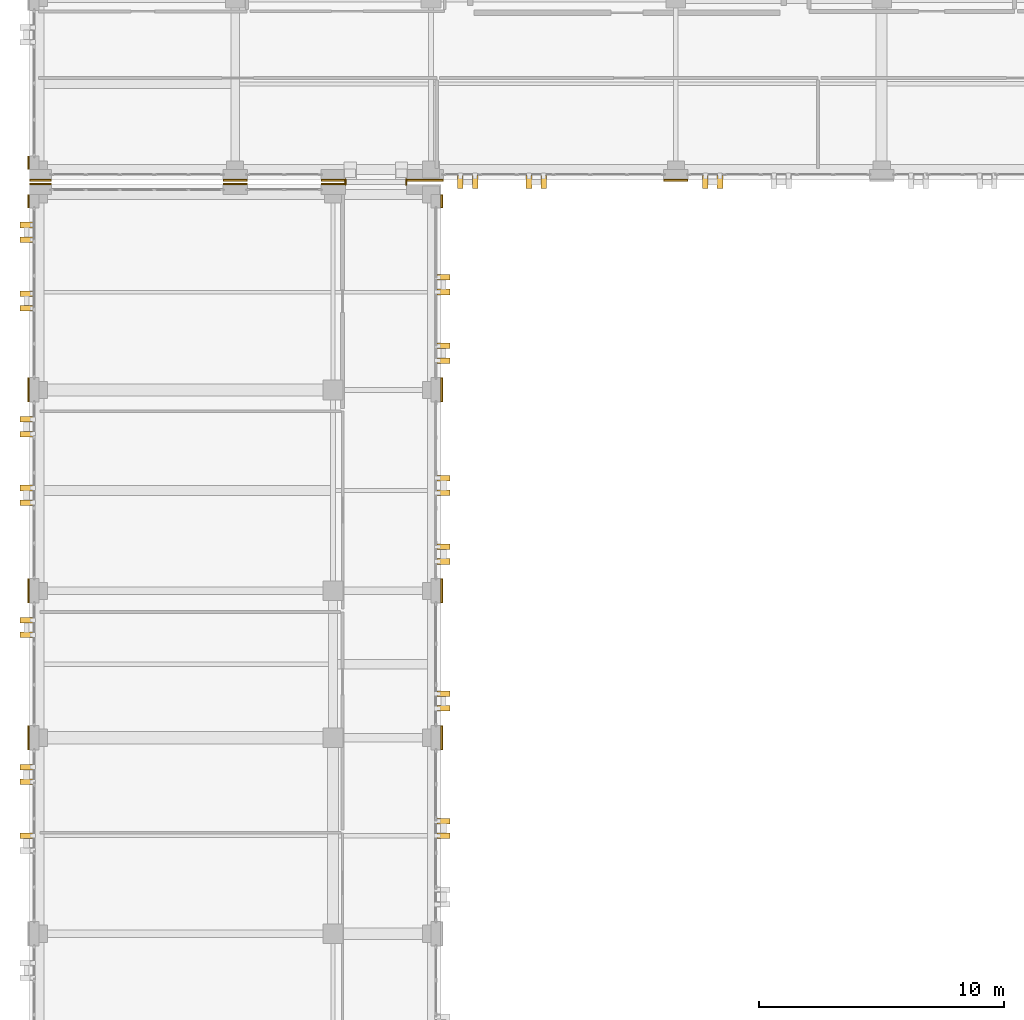
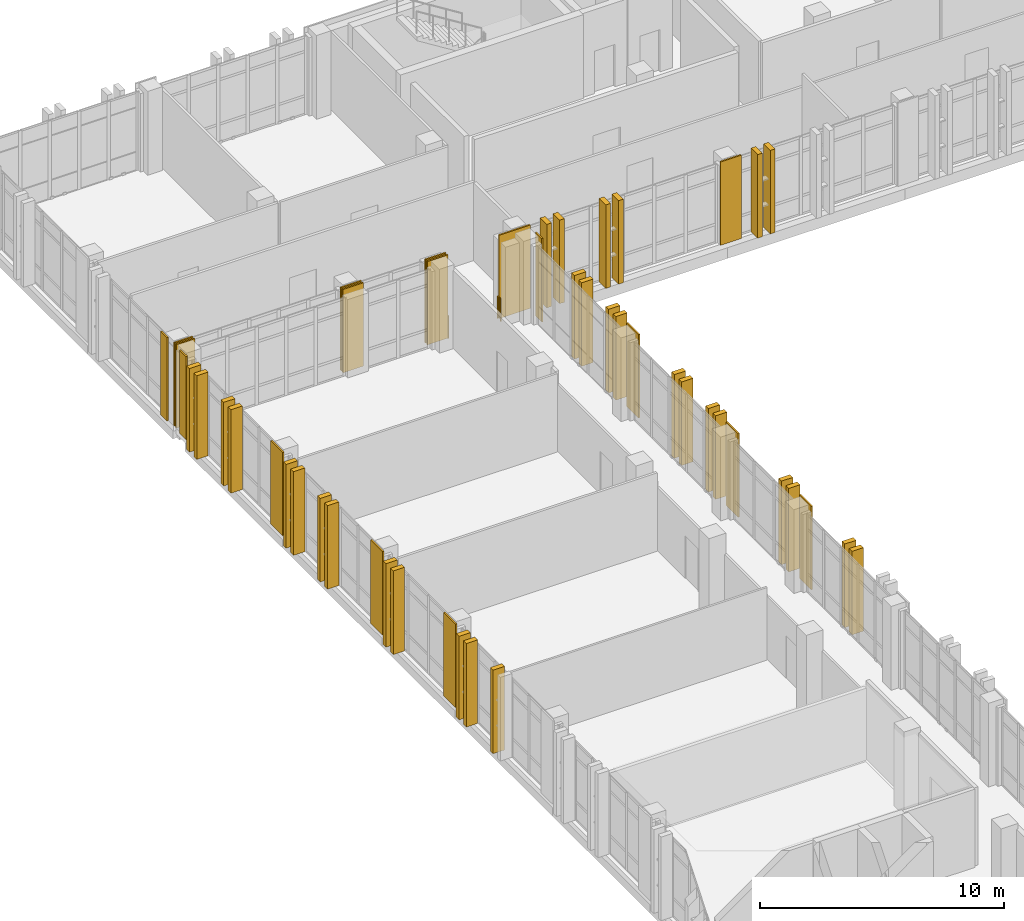
# One storey, part 149 of 158: 48 coverings, 2 railings.
"""IFC4 building model written with IfcOpenShell, lengths in metres."""

from ifc_helpers import new_model, si_unit, direction, frame, origin, origin_2d, place, context, subcontext, project, spatial, rectangle, circle, extrude, material, layer, layer_set, type_object, element, save


model = new_model("IFC4")

# Units and contexts
model_context = context("Model", 3, precision=1e-05, world=origin(), true_north=direction((0.0, 1.0)))
body_context = subcontext(model_context, "Body", "Model", "MODEL_VIEW")
ifc_project = project(units=[si_unit("LENGTHUNIT", "METRE"), si_unit("AREAUNIT", "SQUARE_METRE"), si_unit("VOLUMEUNIT", "CUBIC_METRE"), si_unit("PLANEANGLEUNIT", "RADIAN"), si_unit("MASSUNIT", "GRAM", prefix="KILO")], contexts=[model_context])

# Site, building, storey
site_placement = place(None, origin())
site = spatial("IfcSite", under=ifc_project, at=site_placement, CompositionType="ELEMENT")
building_placement = place(site_placement, origin())
building = spatial("IfcBuilding", under=site, at=building_placement, Name="Qalavern Law Courts", CompositionType="ELEMENT")
storey_placement = place(building_placement, frame((0.0, 0.0, 18.60009765625)))
storey = spatial("IfcBuildingStorey", under=building, at=storey_placement, Name="L04", CompositionType="ELEMENT", Elevation=18.60009765625)

# Railings
ifc_material_1 = material(Name="Steel S355", Category="steel")
railing_type = type_object("IfcRailingType", Name="ENV-BAL-1120", PredefinedType="BALUSTRADE", material=ifc_material_1)
for number, where, name in (
    (1, (14.909912109375, 95.97998046875, 0.0), "Bridge BR-V3-V5 joint guard L04-1"),
    (2, (17.389892578125, 95.97998046875, 0.0), "Bridge BR-V3-V5 joint guard L04-2"),
):
    element("IfcRailing", number, at=place(storey_placement, frame(where)), inside=storey, type_object=railing_type, Name=name, PredefinedType="BALUSTRADE", context=body_context, shape_type="SweptSolid", body=[
        extrude(circle(Radius=0.02392578125, at=origin_2d()), frame((0.0, 0.0, 1.09619140625), z_axis=(0.0, 1.0, 0.0), x_axis=(-1.0, 0.0, 0.0)), (0.0, 0.0, 1.0), 0.219970703125),
        extrude(circle(Radius=0.02099609375, at=origin_2d()), origin(), (0.0, 0.0, 1.0), 1.072021484375),
        extrude(circle(Radius=0.02099609375, at=origin_2d()), frame((0.0, 0.219970703125, 0.0)), (0.0, 0.0, 1.0), 1.072021484375),
    ])

# Coverings
ifc_material_2 = material(Name="Precast concrete C40/50", Category="concrete")
ifc_layer_1 = layer(ifc_material_2, 0.22998046875)
ifc_layer_set_1 = layer_set([ifc_layer_1], Name="Precast concrete C40/50")
covering_type_1 = type_object("IfcCoveringType", Name="ENV-BLD-2", PredefinedType="CLADDING", material=ifc_layer_set_1)
for number, where, z_axis, x_axis, name in (
    (3, (18.909912109375, 69.39990234375, 0.0048828125), (0.0, 0.0, 1.0), (1.0, 0.0, 0.0), "Absheron stone facade blade 0369"),
    (4, (18.909912109375, 70.0, 0.0048828125), (0.0, 0.0, 1.0), (1.0, 0.0, 0.0), "Absheron stone facade blade 0370"),
    (5, (18.909912109375, 74.60009765625, 0.0048828125), (0.0, 0.0, 1.0), (1.0, 0.0, 0.0), "Absheron stone facade blade 0371"),
    (6, (18.909912109375, 75.199951171875, 0.0048828125), (0.0, 0.0, 1.0), (1.0, 0.0, 0.0), "Absheron stone facade blade 0372"),
    (7, (18.909912109375, 80.60009765625, 0.0048828125), (0.0, 0.0, 1.0), (1.0, 0.0, 0.0), "Absheron stone facade blade 0373"),
    (8, (18.909912109375, 81.199951171875, 0.0048828125), (0.0, 0.0, 1.0), (1.0, 0.0, 0.0), "Absheron stone facade blade 0374"),
    (9, (18.909912109375, 83.39990234375, 0.0048828125), (0.0, 0.0, 1.0), (1.0, 0.0, 0.0), "Absheron stone facade blade 0375"),
    (10, (18.909912109375, 84.0, 0.0048828125), (0.0, 0.0, 1.0), (1.0, 0.0, 0.0), "Absheron stone facade blade 0376"),
    (11, (18.909912109375, 88.800048828125, 0.0048828125), (0.0, 0.0, 1.0), (1.0, 0.0, 0.0), "Absheron stone facade blade 0377"),
    (12, (18.909912109375, 89.39990234375, 0.0048828125), (0.0, 0.0, 1.0), (1.0, 0.0, 0.0), "Absheron stone facade blade 0378"),
    (13, (18.909912109375, 91.60009765625, 0.0048828125), (0.0, 0.0, 1.0), (1.0, 0.0, 0.0), "Absheron stone facade blade 0379"),
    (14, (18.909912109375, 92.199951171875, 0.0048828125), (0.0, 0.0, 1.0), (1.0, 0.0, 0.0), "Absheron stone facade blade 0380"),
    (15, (1.889892578125, 94.3349609375, 0.0048828125), (0.0, 0.0, 1.0), (-1.0, 0.0, 0.0), "Absheron stone facade blade 0381"),
    (16, (1.889892578125, 93.735107421875, 0.0048828125), (0.0, 0.0, 1.0), (-1.0, 0.0, 0.0), "Absheron stone facade blade 0382"),
    (17, (1.889892578125, 91.534912109375, 0.0048828125), (0.0, 0.0, 1.0), (-1.0, 0.0, 0.0), "Absheron stone facade blade 0383"),
    (18, (1.889892578125, 90.93505859375, 0.0048828125), (0.0, 0.0, 1.0), (-1.0, 0.0, 0.0), "Absheron stone facade blade 0384"),
    (19, (1.889892578125, 86.39990234375, 0.0048828125), (0.0, 0.0, 1.0), (-1.0, 0.0, 0.0), "Absheron stone facade blade 0385"),
    (20, (1.889892578125, 85.800048828125, 0.0048828125), (0.0, 0.0, 1.0), (-1.0, 0.0, 0.0), "Absheron stone facade blade 0386"),
    (21, (1.889892578125, 83.60009765625, 0.0048828125), (0.0, 0.0, 1.0), (-1.0, 0.0, 0.0), "Absheron stone facade blade 0387"),
    (22, (1.889892578125, 83.0, 0.0048828125), (0.0, 0.0, 1.0), (-1.0, 0.0, 0.0), "Absheron stone facade blade 0388"),
    (23, (1.889892578125, 78.199951171875, 0.0048828125), (0.0, 0.0, 1.0), (-1.0, 0.0, 0.0), "Absheron stone facade blade 0389"),
    (24, (1.889892578125, 77.60009765625, 0.0048828125), (0.0, 0.0, 1.0), (-1.0, 0.0, 0.0), "Absheron stone facade blade 0390"),
    (25, (1.889892578125, 72.199951171875, 0.0048828125), (0.0, 0.0, 1.0), (-1.0, 0.0, 0.0), "Absheron stone facade blade 0391"),
    (26, (1.889892578125, 71.60009765625, 0.0048828125), (0.0, 0.0, 1.0), (-1.0, 0.0, 0.0), "Absheron stone facade blade 0392"),
    (27, (1.889892578125, 69.39990234375, 0.0048828125), (0.0, 0.0, 1.0), (-1.0, 0.0, 0.0), "Absheron stone facade blade 0393"),
    (28, (19.60009765625, 96.090087890625, 0.0048828125), (0.0, 0.0, 1.0), (0.0, -1.0, 0.0), "Absheron stone facade blade 1065"),
    (29, (20.199951171875, 96.090087890625, 0.0048828125), (0.0, 0.0, 1.0), (0.0, -1.0, 0.0), "Absheron stone facade blade 1066"),
    (30, (22.39990234375, 96.090087890625, 0.0048828125), (0.0, 0.0, 1.0), (0.0, -1.0, 0.0), "Absheron stone facade blade 1067"),
    (31, (23.0, 96.090087890625, 0.0048828125), (0.0, 0.0, 1.0), (0.0, -1.0, 0.0), "Absheron stone facade blade 1068"),
    (32, (29.60009765625, 96.090087890625, 0.0048828125), (0.0, 0.0, 1.0), (0.0, -1.0, 0.0), "Absheron stone facade blade 1069"),
    (33, (30.199951171875, 96.090087890625, 0.0048828125), (0.0, 0.0, 1.0), (0.0, -1.0, 0.0), "Absheron stone facade blade 1070"),
):
    element("IfcCovering", number, at=place(storey_placement, frame(where, z_axis=z_axis, x_axis=x_axis)), inside=storey, type_object=covering_type_1, Name=name, PredefinedType="CLADDING", context=body_context, shape_type="SweptSolid", body=[
        extrude(rectangle(XDim=0.5400390625, YDim=0.22998046875, at=origin_2d()), origin(), (0.0, 0.0, 1.0), 4.18994140625),
    ])
ifc_layer_2 = layer(ifc_material_2, 0.072021484375)
ifc_layer_set_2 = layer_set([ifc_layer_2], Name="Precast concrete C40/50")
covering_type_2 = type_object("IfcCoveringType", Name="ENV-CLD-2", PredefinedType="CLADDING", material=ifc_layer_set_2)
for number, where, z_axis, x_axis, name in (
    (34, (18.8330078125, 73.39990234375, 0.009765625), (0.0, 0.0, 1.0), (0.0, 1.0, 0.0), "V3 Absheron limestone pier facing L04 east 5"),
    (35, (18.8330078125, 79.39990234375, 0.009765625), (0.0, 0.0, 1.0), (0.0, 1.0, 0.0), "V3 Absheron limestone pier facing L04 east 6"),
    (36, (18.8330078125, 87.60009765625, 0.009765625), (0.0, 0.0, 1.0), (0.0, 1.0, 0.0), "V3 Absheron limestone pier facing L04 east 7"),
):
    element("IfcCovering", number, at=place(storey_placement, frame(where, z_axis=z_axis, x_axis=x_axis)), inside=storey, type_object=covering_type_2, Name=name, PredefinedType="CLADDING", context=body_context, shape_type="SweptSolid", body=[
        extrude(rectangle(XDim=0.97998046875, YDim=0.072021484375, at=origin_2d()), origin(), (0.0, 0.0, 1.0), 4.179931640625),
    ])
covering_1_placement = place(storey_placement, frame((18.8330078125, 95.31005859375, 0.009765625), z_axis=(0.0, 0.0, 1.0), x_axis=(0.0, 1.0, 0.0)))
element("IfcCovering", 37, at=covering_1_placement, inside=storey, type_object=covering_type_2, Name="V3 Absheron limestone pier facing L04 east 8", PredefinedType="CLADDING", context=body_context, shape_type="SweptSolid", body=[
    extrude(rectangle(XDim=0.530029296875, YDim=0.072021484375, at=origin_2d()), origin(), (0.0, 0.0, 1.0), 4.179931640625),
])
for number, where, z_axis, x_axis, name in (
    (38, (14.39990234375, 96.012939453125, 0.009765625), (0.0, 0.0, 1.0), (-1.0, 0.0, 0.0), "V3 Absheron limestone pier facing L04 north 1"),
    (39, (10.39990234375, 96.012939453125, 0.009765625), (0.0, 0.0, 1.0), (-1.0, 0.0, 0.0), "V3 Absheron limestone pier facing L04 north 2"),
):
    element("IfcCovering", number, at=place(storey_placement, frame(where, z_axis=z_axis, x_axis=x_axis)), inside=storey, type_object=covering_type_2, Name=name, PredefinedType="CLADDING", context=body_context, shape_type="SweptSolid", body=[
        extrude(rectangle(XDim=0.97998046875, YDim=0.072021484375, at=origin_2d()), origin(), (0.0, 0.0, 1.0), 4.179931640625),
    ])
covering_2_placement = place(storey_placement, frame((2.449951171875, 96.012939453125, 0.009765625), z_axis=(0.0, 0.0, 1.0), x_axis=(-1.0, 0.0, 0.0)))
element("IfcCovering", 40, at=covering_2_placement, inside=storey, type_object=covering_type_2, Name="V3 Absheron limestone pier facing L04 north 3", PredefinedType="CLADDING", context=body_context, shape_type="SweptSolid", body=[
    extrude(rectangle(XDim=0.8798828125, YDim=0.072021484375, at=origin_2d()), origin(), (0.0, 0.0, 1.0), 4.179931640625),
])
covering_3_placement = place(storey_placement, frame((1.967041015625, 95.31005859375, 0.009765625), z_axis=(0.0, 0.0, 1.0), x_axis=(0.0, -1.0, 0.0)))
element("IfcCovering", 41, at=covering_3_placement, inside=storey, type_object=covering_type_2, Name="V3 Absheron limestone pier facing L04 west 1", PredefinedType="CLADDING", context=body_context, shape_type="SweptSolid", body=[
    extrude(rectangle(XDim=0.530029296875, YDim=0.072021484375, at=origin_2d()), origin(), (0.0, 0.0, 1.0), 4.179931640625),
])
for number, where, z_axis, x_axis, name in (
    (42, (1.967041015625, 87.60009765625, 0.009765625), (0.0, 0.0, 1.0), (0.0, -1.0, 0.0), "V3 Absheron limestone pier facing L04 west 2"),
    (43, (1.967041015625, 79.39990234375, 0.009765625), (0.0, 0.0, 1.0), (0.0, -1.0, 0.0), "V3 Absheron limestone pier facing L04 west 3"),
    (44, (1.967041015625, 73.39990234375, 0.009765625), (0.0, 0.0, 1.0), (0.0, -1.0, 0.0), "V3 Absheron limestone pier facing L04 west 4"),
):
    element("IfcCovering", number, at=place(storey_placement, frame(where, z_axis=z_axis, x_axis=x_axis)), inside=storey, type_object=covering_type_2, Name=name, PredefinedType="CLADDING", context=body_context, shape_type="SweptSolid", body=[
        extrude(rectangle(XDim=0.97998046875, YDim=0.072021484375, at=origin_2d()), origin(), (0.0, 0.0, 1.0), 4.179931640625),
    ])
covering_4_placement = place(storey_placement, frame((2.449951171875, 96.1669921875, 0.009765625), z_axis=(0.0, 0.0, 1.0), x_axis=(1.0, 0.0, 0.0)))
element("IfcCovering", 45, at=covering_4_placement, inside=storey, type_object=covering_type_2, Name="V5 Absheron limestone pier facing L04 south 1", PredefinedType="CLADDING", context=body_context, shape_type="SweptSolid", body=[
    extrude(rectangle(XDim=0.8798828125, YDim=0.072021484375, at=origin_2d()), origin(), (0.0, 0.0, 1.0), 4.179931640625),
])
for number, where, z_axis, x_axis, name in (
    (46, (10.39990234375, 96.1669921875, 0.009765625), (0.0, 0.0, 1.0), (1.0, 0.0, 0.0), "V5 Absheron limestone pier facing L04 south 2"),
    (47, (14.39990234375, 96.1669921875, 0.009765625), (0.0, 0.0, 1.0), (1.0, 0.0, 0.0), "V5 Absheron limestone pier facing L04 south 3"),
):
    element("IfcCovering", number, at=place(storey_placement, frame(where, z_axis=z_axis, x_axis=x_axis)), inside=storey, type_object=covering_type_2, Name=name, PredefinedType="CLADDING", context=body_context, shape_type="SweptSolid", body=[
        extrude(rectangle(XDim=0.97998046875, YDim=0.072021484375, at=origin_2d()), origin(), (0.0, 0.0, 1.0), 4.179931640625),
    ])
covering_5_placement = place(storey_placement, frame((18.14990234375, 96.1669921875, 0.009765625), z_axis=(0.0, 0.0, 1.0), x_axis=(1.0, 0.0, 0.0)))
element("IfcCovering", 48, at=covering_5_placement, inside=storey, type_object=covering_type_2, Name="V5 Absheron limestone pier facing L04 south 1", PredefinedType="CLADDING", context=body_context, shape_type="SweptSolid", body=[
    extrude(rectangle(XDim=1.47998046875, YDim=0.072021484375, at=origin_2d()), origin(), (0.0, 0.0, 1.0), 4.179931640625),
])
covering_6_placement = place(storey_placement, frame((28.39990234375, 96.1669921875, 0.009765625), z_axis=(0.0, 0.0, 1.0), x_axis=(1.0, 0.0, 0.0)))
element("IfcCovering", 49, at=covering_6_placement, inside=storey, type_object=covering_type_2, Name="V5 Absheron limestone pier facing L04 south 2", PredefinedType="CLADDING", context=body_context, shape_type="SweptSolid", body=[
    extrude(rectangle(XDim=0.97998046875, YDim=0.072021484375, at=origin_2d()), origin(), (0.0, 0.0, 1.0), 4.179931640625),
])
covering_7_placement = place(storey_placement, frame((1.967041015625, 96.8701171875, 0.009765625), z_axis=(0.0, 0.0, 1.0), x_axis=(0.0, -1.0, 0.0)))
element("IfcCovering", 50, at=covering_7_placement, inside=storey, type_object=covering_type_2, Name="V5 Absheron limestone pier facing L04 west 3", PredefinedType="CLADDING", context=body_context, shape_type="SweptSolid", body=[
    extrude(rectangle(XDim=0.530029296875, YDim=0.072021484375, at=origin_2d()), origin(), (0.0, 0.0, 1.0), 4.179931640625),
])

save(model, "model.ifc")
